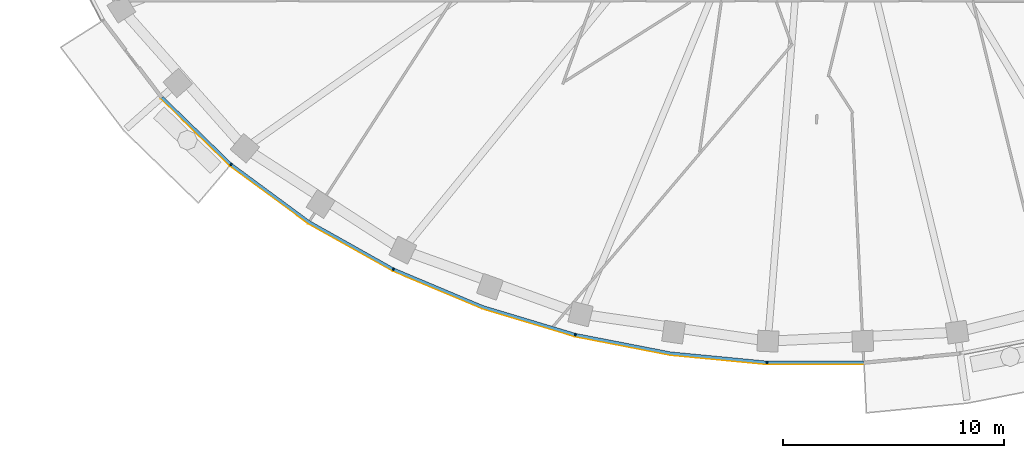
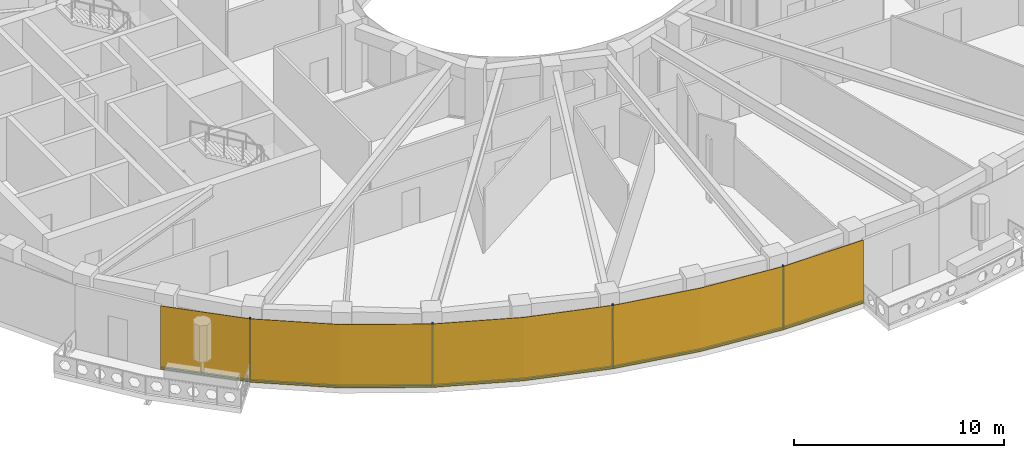
# One storey, part 8 of 16: 9 members, 1 curtain wall.
"""IFC4 building model written with IfcOpenShell, lengths in metres."""

from ifc_helpers import new_model, si_unit, direction, frame, origin, origin_2d, place, context, subcontext, project, spatial, polyline, rectangle, outline, extrude, material, layer, layer_set, material_profile, profile_set, type_object, element, aggregate, save


model = new_model("IFC4")

# Units and contexts
model_context = context("Model", 3, precision=1e-05, world=origin(), true_north=direction((0.0, 1.0)))
body_context = subcontext(model_context, "Body", "Model", "MODEL_VIEW")
ifc_project = project(units=[si_unit("LENGTHUNIT", "METRE"), si_unit("AREAUNIT", "SQUARE_METRE"), si_unit("VOLUMEUNIT", "CUBIC_METRE"), si_unit("PLANEANGLEUNIT", "RADIAN"), si_unit("MASSUNIT", "GRAM", prefix="KILO")], contexts=[model_context])

# Member
ifc_material_1 = material(Name="Aluminium 6063-T6 black anodised", Category="aluminium")
ifc_material_profile = material_profile(ifc_material_1, rectangle(XDim=0.1201171875, YDim=0.06005859375, at=origin_2d()), Name="120x60")
ifc_profile_set = profile_set([ifc_material_profile], Name="Aluminium 6063-T6 black anodised")
member_type_1 = type_object("IfcMemberType", Name="ENV-MULLION-A-120", PredefinedType="MULLION", material=ifc_profile_set)
site_placement = place(None, origin())
building_placement = place(site_placement, origin())
storey_placement = place(building_placement, frame((0.0, 0.0, 311.0)))
member_1_placement = place(storey_placement, frame((-26.403564453125, -18.9130859375, 0.0), z_axis=(0.0, 0.0, 1.0), x_axis=(0.646451313783, 0.762955240435, 0.0)))
member_1 = element("IfcMember", 1, at=member_1_placement, type_object=member_type_1, Name="Mullion A radial 29", PredefinedType="MULLION", context=body_context, shape_type="SweptSolid", body=[
    extrude(rectangle(XDim=0.1201171875, YDim=0.06005859375, at=origin_2d()), origin(), (0.0, 0.0, 1.0), 3.699951171875),
])

member_2_placement = place(storey_placement, frame((-19.06787109375, -23.6474609375, 0.0), z_axis=(0.0, 0.0, 1.0), x_axis=(0.439237769837, 0.898370848563, 0.0)))
member_2 = element("IfcMember", 2, at=member_2_placement, type_object=member_type_1, Name="Mullion A radial 31", PredefinedType="MULLION", context=body_context, shape_type="SweptSolid", body=[
    extrude(rectangle(XDim=0.1201171875, YDim=0.06005859375, at=origin_2d()), origin(), (0.0, 0.0, 1.0), 3.699951171875),
])

member_3_placement = place(storey_placement, frame((-10.84326171875, -26.60498046875, 0.0), z_axis=(0.0, 0.0, 1.0), x_axis=(0.239799081534, 0.970822538106, 0.0)))
member_3 = element("IfcMember", 3, at=member_3_placement, type_object=member_type_1, Name="Mullion A radial 33", PredefinedType="MULLION", context=body_context, shape_type="SweptSolid", body=[
    extrude(rectangle(XDim=0.1201171875, YDim=0.06005859375, at=origin_2d()), origin(), (0.0, 0.0, 1.0), 3.699951171875),
])

member_4_placement = place(storey_placement, frame((-2.188720703125, -27.856201171875, 0.0), z_axis=(0.0, 0.0, 1.0), x_axis=(0.047557873581, 0.998868484166, 0.0)))
member_4 = element("IfcMember", 4, at=member_4_placement, type_object=member_type_1, Name="Mullion A radial 35", PredefinedType="MULLION", context=body_context, shape_type="SweptSolid", body=[
    extrude(rectangle(XDim=0.1201171875, YDim=0.06005859375, at=origin_2d()), origin(), (0.0, 0.0, 1.0), 3.699951171875),
])

ifc_material_2 = material(Name="Aluminium 6063-T6 black anodised", Category="aluminium")
member_type_2 = type_object("IfcMemberType", Name="ENV-TRANSOM-A", PredefinedType="USERDEFINED", material=ifc_material_2)
member_5_placement = place(storey_placement, origin())
member_5 = element("IfcMember", 5, at=member_5_placement, type_object=member_type_2, Name="Transom A radial 28-29", ObjectType="TRANSOM", PredefinedType="USERDEFINED", context=body_context, shape_type="SweptSolid", body=[
    extrude(outline(polyline([(-29.569091796875, -15.9208984375), (-26.46240234375, -18.939208984375), (-26.384765625, -18.847412109375), (-29.47900390625, -15.841064453125), (-29.569091796875, -15.9208984375)])), origin(), (0.0, 0.0, 1.0), 0.10009765625),
])

member_6_placement = place(storey_placement, origin())
member_6 = element("IfcMember", 6, at=member_6_placement, type_object=member_type_2, Name="Transom A radial 29-31", ObjectType="TRANSOM", PredefinedType="USERDEFINED", context=body_context, shape_type="SweptSolid", body=[
    extrude(outline(polyline([(-26.419921875, -18.975341796875), (-22.9150390625, -21.556884765625), (-19.11865234375, -23.687744140625), (-19.06591796875, -23.57958984375), (-22.85009765625, -21.455810546875), (-26.342041015625, -18.883544921875), (-26.419921875, -18.975341796875)])), origin(), (0.0, 0.0, 1.0), 0.10009765625),
])

member_7_placement = place(storey_placement, origin())
member_7 = element("IfcMember", 7, at=member_7_placement, type_object=member_type_2, Name="Transom A radial 31-33", ObjectType="TRANSOM", PredefinedType="USERDEFINED", context=body_context, shape_type="SweptSolid", body=[
    extrude(outline(polyline([(-19.068359375, -23.71240234375), (-15.054443359375, -25.400146484375), (-10.884521484375, -26.655029296875), (-10.855712890625, -26.53857421875), (-15.013916015625, -25.287109375), (-19.015380859375, -23.604248046875), (-19.068359375, -23.71240234375)])), origin(), (0.0, 0.0, 1.0), 0.10009765625),
])

member_8_placement = place(storey_placement, origin())
member_8 = element("IfcMember", 8, at=member_8_placement, type_object=member_type_2, Name="Transom A radial 33-35", ObjectType="TRANSOM", PredefinedType="USERDEFINED", context=body_context, shape_type="SweptSolid", body=[
    extrude(outline(polyline([(-10.830078125, -26.66845703125), (-6.55517578125, -27.49951171875), (-2.219482421875, -27.913330078125), (-2.2138671875, -27.793212890625), (-6.537841796875, -27.380615234375), (-10.80126953125, -26.552001953125), (-10.830078125, -26.66845703125)])), origin(), (0.0, 0.0, 1.0), 0.10009765625),
])

member_9_placement = place(storey_placement, origin())
member_9 = element("IfcMember", 9, at=member_9_placement, type_object=member_type_2, Name="Transom A radial 35-36", ObjectType="TRANSOM", PredefinedType="USERDEFINED", context=body_context, shape_type="SweptSolid", body=[
    extrude(outline(polyline([(-2.163818359375, -27.916015625), (2.171630859375, -27.916015625), (2.166015625, -27.7958984375), (-2.157958984375, -27.7958984375), (-2.163818359375, -27.916015625)])), origin(), (0.0, 0.0, 1.0), 0.10009765625),
])

# Site, building, storey
site = spatial("IfcSite", under=ifc_project, at=site_placement, CompositionType="ELEMENT")
building = spatial("IfcBuilding", under=site, at=building_placement, Name="Noorbagh Ring Tower", CompositionType="ELEMENT")
storey = spatial("IfcBuildingStorey", under=building, at=storey_placement, Name="L67", CompositionType="ELEMENT", Elevation=311.0)

# Curtain wall
ifc_material_3 = material(Name="Glass dark tinted laminated", Category="glass")
ifc_layer = layer(ifc_material_3, 0.031982421875)
ifc_layer_set = layer_set([ifc_layer], Name="Glass dark tinted laminated")
curtain_wall_type = type_object("IfcCurtainWallType", Name="ENV-CW-A", PredefinedType="NOTDEFINED", material=ifc_layer_set)
curtain_wall_placement = place(storey_placement, origin())
curtain_wall = element("IfcCurtainWall", 10, at=curtain_wall_placement, inside=storey, type_object=curtain_wall_type, Name="Curtain wall A R28", PredefinedType="NOTDEFINED", context=body_context, shape_type="SweptSolid", body=[
    extrude(outline(polyline([(-29.59326171875, -15.942138671875), (-26.463134765625, -18.9833984375), (-22.9326171875, -21.583740234375), (-19.108154296875, -23.730224609375), (-15.065185546875, -25.430419921875), (-10.865234375, -26.6943359375), (-6.559814453125, -27.53125), (-2.193115234375, -27.947998046875), (2.173095703125, -27.947998046875), (2.171630859375, -27.916015625), (-2.191650390625, -27.916015625), (-6.55517578125, -27.49951171875), (-10.857666015625, -26.6630859375), (-15.054443359375, -25.400146484375), (-19.093994140625, -23.701416015625), (-22.9150390625, -21.556884765625), (-26.4423828125, -18.958740234375), (-29.569091796875, -15.9208984375), (-29.59326171875, -15.942138671875)])), origin(), (0.0, 0.0, 1.0), 3.699951171875),
])

aggregate(curtain_wall, [member_1, member_2, member_3, member_4, member_5, member_6, member_7, member_8, member_9])

save(model, "model.ifc")
